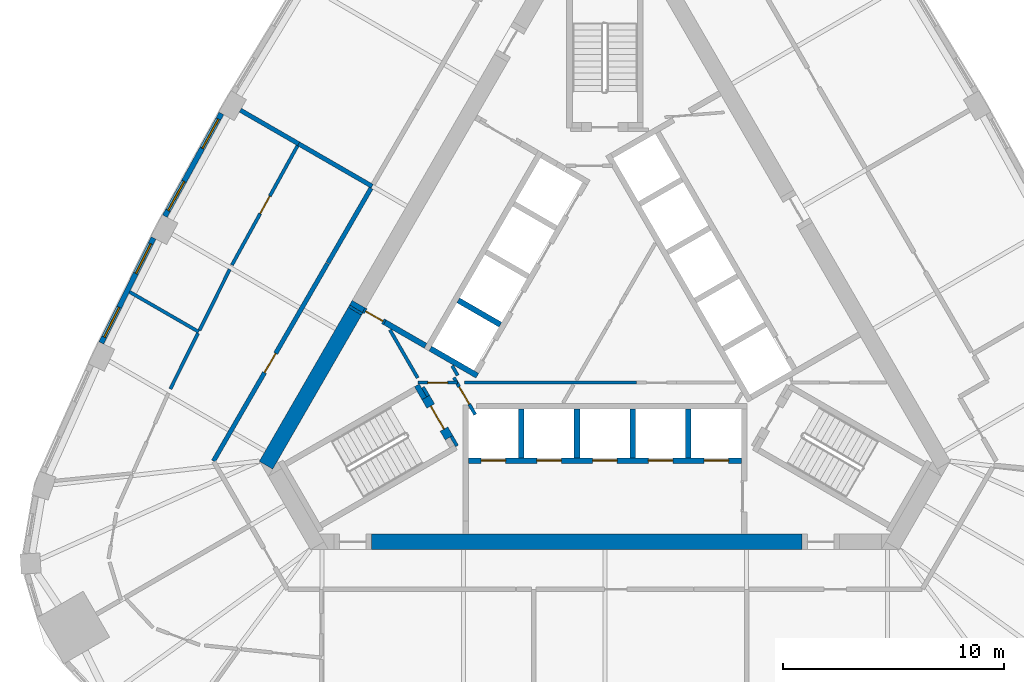
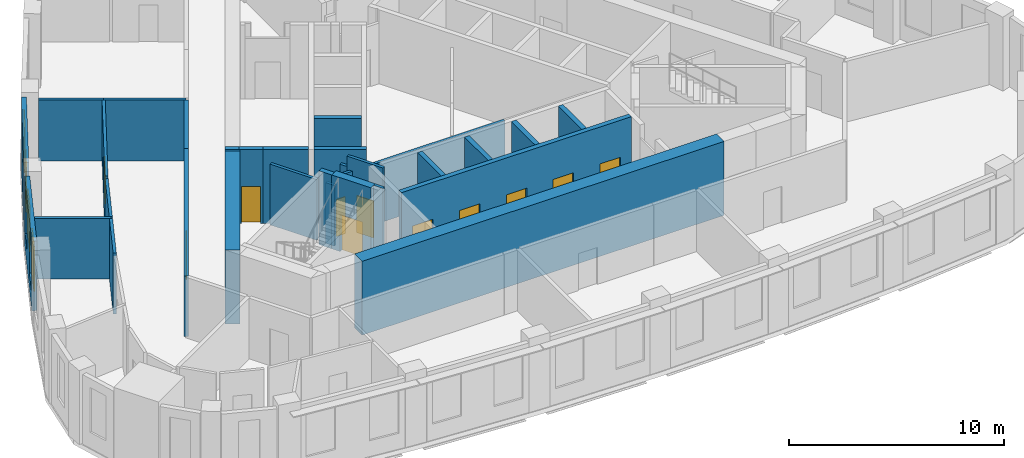
# One storey, part 4 of 10: 32 walls, 11 doors, 4 windows, 15 openings.
"""IFC4 building model written with IfcOpenShell, lengths in metres."""

from ifc_helpers import new_model, si_unit, direction, frame, frame_2d, origin, place, context, subcontext, project, spatial, polyline, rectangle, outline, extrude, material, layer, layer_set, type_object, element, fill, save


model = new_model("IFC4")

# Units and contexts
model_context = context("Model", 3, precision=1e-05, world=origin(), true_north=direction((0.0, 1.0)))
body_context = subcontext(model_context, "Body", "Model", "MODEL_VIEW")
ifc_project = project(units=[si_unit("LENGTHUNIT", "METRE"), si_unit("AREAUNIT", "SQUARE_METRE"), si_unit("VOLUMEUNIT", "CUBIC_METRE"), si_unit("PLANEANGLEUNIT", "RADIAN"), si_unit("MASSUNIT", "GRAM", prefix="KILO")], contexts=[model_context])

# Site, building, storey
site_placement = place(None, origin())
site = spatial("IfcSite", under=ifc_project, at=site_placement, CompositionType="ELEMENT")
building_placement = place(site_placement, origin())
building = spatial("IfcBuilding", under=site, at=building_placement, Name="Mestral Congress Tower", CompositionType="ELEMENT")
storey_placement = place(building_placement, frame((0.0, 0.0, 214.199951171875)))
storey = spatial("IfcBuildingStorey", under=building, at=storey_placement, Name="L50", CompositionType="ELEMENT", Elevation=214.199951171875)

# Walls
ifc_material_1 = material(Name="Fire-rated board partition")
ifc_layer_1 = layer(ifc_material_1, 0.14990234375)
ifc_layer_set_1 = layer_set([ifc_layer_1], Name="Fire-rated board partition")
wall_type_1 = type_object("IfcWallType", Name="Core partition 150", PredefinedType="PARTITIONING", material=ifc_layer_set_1)
wall_1_placement = place(storey_placement, frame((-9.717529296875, -0.41748046875, 0.0), z_axis=(0.0, 0.0, 1.0), x_axis=(0.499966538646, -0.866044721844, 0.0)))
element("IfcWall", 1, at=wall_1_placement, inside=storey, type_object=wall_type_1, Name="L50 core wall", PredefinedType="PARTITIONING", context=body_context, shape_type="SweptSolid", body=[
    extrude(rectangle(XDim=2.510986328125, YDim=0.14990234375, at=frame_2d((1.25537109375, 0.0))), origin(), (0.0, 0.0, 1.0), 3.449951171875),
])
wall_2_placement = place(storey_placement, frame((1.438232421875, -2.800048828125, 0.0), z_axis=(0.0, 0.0, 1.0), x_axis=(-1.0, 0.0, 0.0)))
element("IfcWall", 2, at=wall_2_placement, inside=storey, type_object=wall_type_1, Name="L50 core wall", PredefinedType="PARTITIONING", context=body_context, shape_type="SweptSolid", body=[
    extrude(rectangle(XDim=7.78125, YDim=0.14990234375, at=frame_2d((3.890625, 0.0))), origin(), (0.0, 0.0, 1.0), 3.449951171875),
])
wall_3_placement = place(storey_placement, frame((-6.65283203125, -2.476806640625, 0.0), z_axis=(0.0, 0.0, 1.0), x_axis=(-0.500002592159, 0.866023907196, 0.0)))
element("IfcWall", 3, at=wall_3_placement, inside=storey, type_object=wall_type_1, Name="L50 core wall", PredefinedType="PARTITIONING", context=body_context, shape_type="SweptSolid", body=[
    extrude(rectangle(XDim=0.5029296875, YDim=0.14990234375, at=frame_2d((0.25146484375, 0.0))), origin(), (0.0, 0.0, 1.0), 3.449951171875),
])
wall_4_placement = place(storey_placement, frame((-7.990234375, -3.41162109375, 0.0), z_axis=(0.0, 0.0, 1.0), x_axis=(-0.499858525911, 0.866107068482, 0.0)))
element("IfcWall", 4, at=wall_4_placement, inside=storey, type_object=wall_type_1, Name="L50 core wall", PredefinedType="PARTITIONING", context=body_context, shape_type="SweptSolid", body=[
    extrude(rectangle(XDim=0.466064453125, YDim=0.14990234375, at=frame_2d((0.23291015625, 0.0))), origin(), (0.0, 0.0, 1.0), 3.449951171875),
])

# Wall, opening, door
wall_5_placement = place(storey_placement, frame((-6.654541015625, -2.800048828125, 0.0), z_axis=(0.0, 0.0, 1.0), x_axis=(-1.0, 0.0, 0.0)))
wall_5 = element("IfcWall", 5, at=wall_5_placement, inside=storey, type_object=wall_type_1, Name="L50 door wall", PredefinedType="PARTITIONING", context=body_context, shape_type="SweptSolid", body=[
    extrude(rectangle(XDim=1.800048828125, YDim=0.14990234375, at=frame_2d((0.89990234375, 0.0))), origin(), (0.0, 0.0, 1.0), 3.449951171875),
])
opening_1_placement = place(wall_5_placement, frame((0.449951171875, 0.0, 0.0)))
opening_1 = element("IfcOpeningElement", 6, at=opening_1_placement, cuts=wall_5, Name="Opening SD-HUB5", PredefinedType="OPENING", context=body_context, shape_type="SweptSolid", body=[
    extrude(rectangle(XDim=0.89990234375, YDim=2.10009765625, at=frame_2d((0.449951171875, 1.050048828125))), frame((0.0, 0.0849609375, 0.0), z_axis=(0.0, -1.0, 0.0), x_axis=(1.0, 0.0, 0.0)), (0.0, 0.0, 1.0), 0.169921875),
])
ifc_material_2 = material(Name="Fire-rated steel door set", Category="steel")
door_type_1 = type_object("IfcDoorType", Name="Core door SR 900x2100", OperationType="SINGLE_SWING_LEFT", PredefinedType="DOOR", material=ifc_material_2)
door_1_placement = place(opening_1_placement, origin())
door_1 = element("IfcDoor", 7, at=door_1_placement, inside=storey, type_object=door_type_1, Name="Door SD-HUB5", OperationType="SINGLE_SWING_LEFT", OverallHeight=2.10009765625, OverallWidth=0.89990234375, PredefinedType="DOOR", context=body_context, shape_type="SweptSolid", body=[
    extrude(rectangle(XDim=0.89990234375, YDim=2.10009765625, at=frame_2d((0.449951171875, 1.050048828125))), frame((0.0, 0.02490234375, 0.0), z_axis=(0.0, -1.0, 0.0), x_axis=(1.0, 0.0, 0.0)), (0.0, 0.0, 1.0), 0.050048828125),
])
fill(opening_1, door_1)

# Walls
ifc_material_3 = material(Name="Concrete C60/75", Category="concrete")
ifc_layer_2 = layer(ifc_material_3, 0.699951171875)
ifc_layer_set_2 = layer_set([ifc_layer_2], Name="Concrete C60/75")
wall_type_2 = type_object("IfcWallType", Name="Core wall RC 700", PredefinedType="SOLIDWALL", material=ifc_layer_set_2)
wall_6_placement = place(storey_placement, frame((-11.30126953125, 0.425537109375, 0.0), z_axis=(0.0, 0.0, 1.0), x_axis=(0.50111559984, 0.865380353138, 0.0)))
element("IfcWall", 8, at=wall_6_placement, inside=storey, type_object=wall_type_2, Name="L50 core wall", PredefinedType="SOLIDWALL", context=body_context, shape_type="SweptSolid", body=[
    extrude(rectangle(XDim=0.121337890625, YDim=0.699951171875, at=frame_2d((0.060546875, 0.0))), origin(), (0.0, 0.0, 1.0), 4.199951171875),
])
wall_7_placement = place(storey_placement, frame((-15.3212890625, -6.537353515625, 0.0), z_axis=(0.0, 0.0, 1.0), x_axis=(0.500000268222, 0.866025248926, 0.0)))
element("IfcWall", 9, at=wall_7_placement, inside=storey, type_object=wall_type_2, Name="L50 core wall", PredefinedType="SOLIDWALL", context=body_context, shape_type="SweptSolid", body=[
    extrude(rectangle(XDim=8.0380859375, YDim=0.699951171875, at=frame_2d((4.01904296875, 0.0))), origin(), (0.0, 0.0, 1.0), 4.199951171875),
])
wall_8_placement = place(storey_placement, origin())
element("IfcWall", 10, at=wall_8_placement, inside=storey, type_object=wall_type_2, Name="L50 core wall", PredefinedType="SOLIDWALL", context=body_context, shape_type="SweptSolid", body=[
    extrude(outline(polyline([(-11.542724609375, 0.70751953125), (-11.423583984375, 0.91357421875), (-10.84326171875, 0.578369140625), (-10.962158203125, 0.372314453125), (-11.542724609375, 0.70751953125)])), origin(), (0.0, 0.0, 1.0), 4.199951171875),
])
wall_9_placement = place(storey_placement, frame((-10.556396484375, -10.0, 0.0), z_axis=(0.0, 0.0, 1.0), x_axis=(1.0, 0.0, 0.0)))
element("IfcWall", 11, at=wall_9_placement, inside=storey, type_object=wall_type_2, Name="L50 core wall", PredefinedType="SOLIDWALL", context=body_context, shape_type="SweptSolid", body=[
    extrude(rectangle(XDim=19.460693359375, YDim=0.699951171875, at=frame_2d((9.73046875, 0.0))), origin(), (0.0, 0.0, 1.0), 4.199951171875),
])

# Wall, openings, windows
ifc_material_4 = material(Name="Precast concrete C40/50 with limestone facing", Category="masonry")
ifc_layer_3 = layer(ifc_material_4, 0.239990234375)
ifc_layer_set_3 = layer_set([ifc_layer_3], Name="Precast concrete C40/50 with limestone facing")
wall_type_3 = type_object("IfcWallType", Name="Facade stone wall 240", PredefinedType="SOLIDWALL", material=ifc_layer_set_3)
wall_10_placement = place(storey_placement, frame((-17.338134765625, 9.367919921875, 0.0), z_axis=(0.0, 0.0, 1.0), x_axis=(-0.481925825015, -0.876212017256, 0.0)))
wall_10 = element("IfcWall", 12, at=wall_10_placement, inside=storey, type_object=wall_type_3, Name="Facade wall F2-03", PredefinedType="SOLIDWALL", context=body_context, shape_type="SweptSolid", body=[
    extrude(rectangle(XDim=5.298583984375, YDim=0.239990234375, at=frame_2d((2.6494140625, 0.0))), origin(), (0.0, 0.0, 1.0), 3.949951171875),
])
opening_2_placement = place(wall_10_placement, frame((0.294677734375, 0.0, 0.89990234375)))
opening_2 = element("IfcOpeningElement", 13, at=opening_2_placement, cuts=wall_10, Name="Opening W4", PredefinedType="OPENING", context=body_context, shape_type="SweptSolid", body=[
    extrude(rectangle(XDim=1.5, YDim=2.550048828125, at=frame_2d((0.75, 1.27490234375))), frame((0.0, 0.1298828125, 0.0), z_axis=(0.0, -1.0, 0.0), x_axis=(1.0, 0.0, 0.0)), (0.0, 0.0, 1.0), 0.260009765625),
])
opening_3_placement = place(wall_10_placement, frame((3.503662109375, 0.0, 0.89990234375)))
opening_3 = element("IfcOpeningElement", 14, at=opening_3_placement, cuts=wall_10, Name="Opening W4", PredefinedType="OPENING", context=body_context, shape_type="SweptSolid", body=[
    extrude(rectangle(XDim=1.5, YDim=2.550048828125, at=frame_2d((0.75, 1.27490234375))), frame((0.0, 0.1298828125, 0.0), z_axis=(0.0, -1.0, 0.0), x_axis=(1.0, 0.0, 0.0)), (0.0, 0.0, 1.0), 0.260009765625),
])
ifc_material_5 = material(Name="Clear low-emissivity double glazing", Category="glass")
window_type = type_object("IfcWindowType", Name="Facade punched window 1500 x 2550 sill 900", PartitioningType="SINGLE_PANEL", PredefinedType="WINDOW", material=ifc_material_5)
window_1_placement = place(opening_2_placement, origin())
window_1 = element("IfcWindow", 15, at=window_1_placement, inside=storey, type_object=window_type, Name="Window F2-03a", OverallHeight=2.550048828125, OverallWidth=1.5, PartitioningType="SINGLE_PANEL", PredefinedType="WINDOW", context=body_context, shape_type="SweptSolid", body=[
    extrude(rectangle(XDim=1.5, YDim=2.550048828125, at=frame_2d((0.75, 1.27490234375))), frame((0.0, 0.0400390625, 0.0), z_axis=(0.0, -1.0, 0.0), x_axis=(1.0, 0.0, 0.0)), (0.0, 0.0, 1.0), 0.06005859375),
])
fill(opening_2, window_1)
window_2_placement = place(opening_3_placement, origin())
window_2 = element("IfcWindow", 16, at=window_2_placement, inside=storey, type_object=window_type, Name="Window F2-03b", OverallHeight=2.550048828125, OverallWidth=1.5, PartitioningType="SINGLE_PANEL", PredefinedType="WINDOW", context=body_context, shape_type="SweptSolid", body=[
    extrude(rectangle(XDim=1.5, YDim=2.550048828125, at=frame_2d((0.75, 1.27490234375))), frame((0.0, 0.0400390625, 0.0), z_axis=(0.0, -1.0, 0.0), x_axis=(1.0, 0.0, 0.0)), (0.0, 0.0, 1.0), 0.06005859375),
])
fill(opening_3, window_2)

wall_11_placement = place(storey_placement, frame((-20.407470703125, 3.739501953125, 0.0), z_axis=(0.0, 0.0, 1.0), x_axis=(-0.445129582031, -0.895466166419, 0.0)))
wall_11 = element("IfcWall", 17, at=wall_11_placement, inside=storey, type_object=wall_type_3, Name="Facade wall F2-04", PredefinedType="SOLIDWALL", context=body_context, shape_type="SweptSolid", body=[
    extrude(rectangle(XDim=5.29833984375, YDim=0.239990234375, at=frame_2d((2.649169921875, 0.0))), origin(), (0.0, 0.0, 1.0), 3.949951171875),
])
opening_4_placement = place(wall_11_placement, frame((0.294677734375, 0.0, 0.89990234375)))
opening_4 = element("IfcOpeningElement", 18, at=opening_4_placement, cuts=wall_11, Name="Opening W4", PredefinedType="OPENING", context=body_context, shape_type="SweptSolid", body=[
    extrude(rectangle(XDim=1.5, YDim=2.550048828125, at=frame_2d((0.75, 1.27490234375))), frame((0.0, 0.1298828125, 0.0), z_axis=(0.0, -1.0, 0.0), x_axis=(1.0, 0.0, 0.0)), (0.0, 0.0, 1.0), 0.260009765625),
])
opening_5_placement = place(wall_11_placement, frame((3.503662109375, 0.0, 0.89990234375)))
opening_5 = element("IfcOpeningElement", 19, at=opening_5_placement, cuts=wall_11, Name="Opening W4", PredefinedType="OPENING", context=body_context, shape_type="SweptSolid", body=[
    extrude(rectangle(XDim=1.5, YDim=2.550048828125, at=frame_2d((0.75, 1.27490234375))), frame((0.0, 0.1298828125, 0.0), z_axis=(0.0, -1.0, 0.0), x_axis=(1.0, 0.0, 0.0)), (0.0, 0.0, 1.0), 0.260009765625),
])
window_3_placement = place(opening_4_placement, origin())
window_3 = element("IfcWindow", 20, at=window_3_placement, inside=storey, type_object=window_type, Name="Window F2-04a", OverallHeight=2.550048828125, OverallWidth=1.5, PartitioningType="SINGLE_PANEL", PredefinedType="WINDOW", context=body_context, shape_type="SweptSolid", body=[
    extrude(rectangle(XDim=1.5, YDim=2.550048828125, at=frame_2d((0.75, 1.27490234375))), frame((0.0, 0.0400390625, 0.0), z_axis=(0.0, -1.0, 0.0), x_axis=(1.0, 0.0, 0.0)), (0.0, 0.0, 1.0), 0.06005859375),
])
fill(opening_4, window_3)
window_4_placement = place(opening_5_placement, origin())
window_4 = element("IfcWindow", 21, at=window_4_placement, inside=storey, type_object=window_type, Name="Window F2-04b", OverallHeight=2.550048828125, OverallWidth=1.5, PartitioningType="SINGLE_PANEL", PredefinedType="WINDOW", context=body_context, shape_type="SweptSolid", body=[
    extrude(rectangle(XDim=1.5, YDim=2.550048828125, at=frame_2d((0.75, 1.27490234375))), frame((0.0, 0.0400390625, 0.0), z_axis=(0.0, -1.0, 0.0), x_axis=(1.0, 0.0, 0.0)), (0.0, 0.0, 1.0), 0.06005859375),
])
fill(opening_5, window_4)

# Wall
ifc_material_6 = material(Name="Plasterboard partition on steel studs", Category="steel")
ifc_layer_4 = layer(ifc_material_6, 0.14990234375)
ifc_layer_set_4 = layer_set([ifc_layer_4], Name="Plasterboard partition on steel studs")
wall_type_4 = type_object("IfcWallType", Name="Office partition 150", PredefinedType="PARTITIONING", material=ifc_layer_set_4)
wall_12_placement = place(storey_placement, frame((-18.36328125, -0.505859375, 0.0), z_axis=(0.0, 0.0, 1.0), x_axis=(-0.866048087663, 0.499960708312, 0.0)))
element("IfcWall", 22, at=wall_12_placement, inside=storey, type_object=wall_type_4, Name="Partition", PredefinedType="PARTITIONING", context=body_context, shape_type="SweptSolid", body=[
    extrude(rectangle(XDim=3.607177734375, YDim=0.14990234375, at=frame_2d((1.8037109375, 0.0))), origin(), (0.0, 0.0, 1.0), 3.449951171875),
])

# Wall, opening, door
wall_13_placement = place(storey_placement, frame((-16.86279296875, 2.5126953125, 0.0), z_axis=(0.0, 0.0, 1.0), x_axis=(0.48192483879, 0.876212559689, 0.0)))
wall_13 = element("IfcWall", 23, at=wall_13_placement, inside=storey, type_object=wall_type_4, Name="Partition", PredefinedType="PARTITIONING", context=body_context, shape_type="SweptSolid", body=[
    extrude(rectangle(XDim=6.15673828125, YDim=0.14990234375, at=frame_2d((3.078369140625, 0.0))), origin(), (0.0, 0.0, 1.0), 3.449951171875),
])
opening_6_placement = place(wall_13_placement, frame((2.65673828125, 0.0, 0.0)))
opening_6 = element("IfcOpeningElement", 24, at=opening_6_placement, cuts=wall_13, Name="Opening O07-013", PredefinedType="OPENING", context=body_context, shape_type="SweptSolid", body=[
    extrude(rectangle(XDim=0.89990234375, YDim=2.10009765625, at=frame_2d((0.449951171875, 1.050048828125))), frame((0.0, 0.0849609375, 0.0), z_axis=(0.0, -1.0, 0.0), x_axis=(1.0, 0.0, 0.0)), (0.0, 0.0, 1.0), 0.169921875),
])
ifc_material_7 = material(Name="Timber door set", Category="wood")
door_type_2 = type_object("IfcDoorType", Name="Office door 900x2100", OperationType="SINGLE_SWING_LEFT", PredefinedType="DOOR", material=ifc_material_7)
door_2_placement = place(opening_6_placement, origin())
door_2 = element("IfcDoor", 25, at=door_2_placement, inside=storey, type_object=door_type_2, Name="Door O07-013", OperationType="SINGLE_SWING_RIGHT", OverallHeight=2.10009765625, OverallWidth=0.89990234375, PredefinedType="DOOR", context=body_context, shape_type="SweptSolid", body=[
    extrude(rectangle(XDim=0.89990234375, YDim=2.10009765625, at=frame_2d((0.449951171875, 1.050048828125))), frame((0.0, 0.02490234375, 0.0), z_axis=(0.0, -1.0, 0.0), x_axis=(1.0, 0.0, 0.0)), (0.0, 0.0, 1.0), 0.050048828125),
])
fill(opening_6, door_2)

# Walls
wall_14_placement = place(storey_placement, frame((-16.958251953125, 2.32080078125, 0.0), z_axis=(0.0, 0.0, 1.0), x_axis=(-0.445184199442, -0.895439014432, 0.0)))
element("IfcWall", 26, at=wall_14_placement, inside=storey, type_object=wall_type_4, Name="Partition", PredefinedType="PARTITIONING", context=body_context, shape_type="SweptSolid", body=[
    extrude(rectangle(XDim=3.08154296875, YDim=0.14990234375, at=frame_2d((1.540771484375, 0.0))), origin(), (0.0, 0.0, 1.0), 3.449951171875),
])
wall_15_placement = place(storey_placement, frame((-18.39697265625, -0.572998046875, 0.0), z_axis=(0.0, 0.0, 1.0), x_axis=(-0.445162501923, -0.89544980143, 0.0)))
element("IfcWall", 27, at=wall_15_placement, inside=storey, type_object=wall_type_4, Name="Partition", PredefinedType="PARTITIONING", context=body_context, shape_type="SweptSolid", body=[
    extrude(rectangle(XDim=2.810791015625, YDim=0.14990234375, at=frame_2d((1.4052734375, 0.0))), origin(), (0.0, 0.0, 1.0), 3.449951171875),
])
ifc_material_8 = material(Name="Dense masonry wall, plastered", Category="masonry")
ifc_layer_5 = layer(ifc_material_8, 0.199951171875)
ifc_layer_set_5 = layer_set([ifc_layer_5], Name="Dense masonry wall, plastered")
wall_type_5 = type_object("IfcWallType", Name="Office tenancy wall 200", PredefinedType="PARTITIONING", material=ifc_layer_set_5)
wall_16_placement = place(storey_placement, frame((-13.84423828125, 7.992919921875, 0.0), z_axis=(0.0, 0.0, 1.0), x_axis=(-0.866003976688, 0.500037110984, 0.0)))
element("IfcWall", 28, at=wall_16_placement, inside=storey, type_object=wall_type_5, Name="Tenancy wall", PredefinedType="PARTITIONING", context=body_context, shape_type="SweptSolid", body=[
    extrude(rectangle(XDim=3.044677734375, YDim=0.199951171875, at=frame_2d((1.5224609375, 0.0))), origin(), (0.0, 0.0, 1.0), 3.449951171875),
])
wall_17_placement = place(storey_placement, frame((-10.522216796875, 6.074951171875, 0.0), z_axis=(0.0, 0.0, 1.0), x_axis=(-0.866002601515, 0.500039492609, 0.0)))
element("IfcWall", 29, at=wall_17_placement, inside=storey, type_object=wall_type_5, Name="Tenancy wall", PredefinedType="PARTITIONING", context=body_context, shape_type="SweptSolid", body=[
    extrude(rectangle(XDim=3.843994140625, YDim=0.199951171875, at=frame_2d((1.921875, 0.0))), origin(), (0.0, 0.0, 1.0), 3.449951171875),
])
wall_18_placement = place(storey_placement, frame((-10.572265625, 5.98828125, 0.0), z_axis=(0.0, 0.0, 1.0), x_axis=(-0.499997012787, -0.866027128446, 0.0)))
element("IfcWall", 30, at=wall_18_placement, inside=storey, type_object=wall_type_5, Name="Tenancy wall", PredefinedType="PARTITIONING", context=body_context, shape_type="SweptSolid", body=[
    extrude(rectangle(XDim=3.89990234375, YDim=0.199951171875, at=frame_2d((1.949951171875, 0.0))), origin(), (0.0, 0.0, 1.0), 3.449951171875),
])

# Wall, opening, door
wall_19_placement = place(storey_placement, frame((-12.537109375, 2.5849609375, 0.0), z_axis=(0.0, 0.0, 1.0), x_axis=(-0.500002393198, -0.866024022066, 0.0)))
wall_19 = element("IfcWall", 31, at=wall_19_placement, inside=storey, type_object=wall_type_5, Name="Tenancy wall", PredefinedType="PARTITIONING", context=body_context, shape_type="SweptSolid", body=[
    extrude(rectangle(XDim=10.3173828125, YDim=0.199951171875, at=frame_2d((5.15869140625, 0.0))), origin(), (0.0, 0.0, 1.0), 3.449951171875),
])
opening_7_placement = place(wall_19_placement, frame((4.699951171875, 0.0, 0.0)))
opening_7 = element("IfcOpeningElement", 32, at=opening_7_placement, cuts=wall_19, Name="Opening O07-016", PredefinedType="OPENING", context=body_context, shape_type="SweptSolid", body=[
    extrude(rectangle(XDim=1.0, YDim=2.10009765625, at=frame_2d((0.5, 1.050048828125))), frame((0.0, 0.10986328125, 0.0), z_axis=(0.0, -1.0, 0.0), x_axis=(1.0, 0.0, 0.0)), (0.0, 0.0, 1.0), 0.219970703125),
])
ifc_material_9 = material(Name="Fire-rated timber door set", Category="wood")
door_type_3 = type_object("IfcDoorType", Name="Office tenancy entrance door 1000x2100", OperationType="SINGLE_SWING_LEFT", PredefinedType="DOOR", material=ifc_material_9)
door_3_placement = place(opening_7_placement, origin())
door_3 = element("IfcDoor", 33, at=door_3_placement, inside=storey, type_object=door_type_3, Name="Door O07-016", OperationType="SINGLE_SWING_RIGHT", OverallHeight=2.10009765625, OverallWidth=1.0, PredefinedType="DOOR", context=body_context, shape_type="SweptSolid", body=[
    extrude(rectangle(XDim=1.0, YDim=2.10009765625, at=frame_2d((0.5, 1.050048828125))), frame((0.0, 0.02490234375, 0.0), z_axis=(0.0, -1.0, 0.0), x_axis=(1.0, 0.0, 0.0)), (0.0, 0.0, 1.0), 0.050048828125),
])
fill(opening_7, door_3)

# Walls
ifc_layer_6 = layer(ifc_material_3, 0.25)
ifc_layer_set_6 = layer_set([ifc_layer_6], Name="Concrete C60/75")
wall_type_6 = type_object("IfcWallType", Name="Shaft wall RC 250", PredefinedType="SOLIDWALL", material=ifc_layer_set_6)
for number, where, z_axis, x_axis, name in (
    (34, (3.780029296875, -4.0, 0.0), (0.0, 0.0, 1.0), (0.0, -1.0, 0.0), "L50 core wall"),
    (35, (1.260009765625, -4.0, 0.0), (0.0, 0.0, 1.0), (0.0, -1.0, 0.0), "L50 core wall"),
    (36, (-1.260009765625, -4.0, 0.0), (0.0, 0.0, 1.0), (0.0, -1.0, 0.0), "L50 core wall"),
    (37, (-3.780029296875, -4.0, 0.0), (0.0, 0.0, 1.0), (0.0, -1.0, 0.0), "L50 core wall"),
    (38, (-4.72412109375, -0.182373046875, 0.0), (0.0, 0.0, 1.0), (-0.866008176907, 0.50002983664, 0.0), "L50 core wall"),
):
    element("IfcWall", number, at=place(storey_placement, frame(where, z_axis=z_axis, x_axis=x_axis)), inside=storey, type_object=wall_type_6, Name=name, PredefinedType="SOLIDWALL", context=body_context, shape_type="SweptSolid", body=[
        extrude(rectangle(XDim=2.199951171875, YDim=0.25, at=frame_2d((1.10009765625, 0.0))), origin(), (0.0, 0.0, 1.0), 4.199951171875),
    ])
wall_20_placement = place(storey_placement, frame((-7.889404296875, -1.264892578125, 0.0), z_axis=(0.0, 0.0, 1.0), x_axis=(0.866057815567, -0.499943856944, 0.0)))
element("IfcWall", 39, at=wall_20_placement, inside=storey, type_object=wall_type_6, Name="L50 core wall", PredefinedType="SOLIDWALL", context=body_context, shape_type="SweptSolid", body=[
    extrude(rectangle(XDim=2.449951171875, YDim=0.25, at=frame_2d((1.22509765625, 0.0))), origin(), (0.0, 0.0, 1.0), 4.199951171875),
])
wall_21_placement = place(storey_placement, frame((-9.949951171875, -0.074951171875, 0.0), z_axis=(0.0, 0.0, 1.0), x_axis=(0.865962177421, -0.500109495288, 0.0)))
element("IfcWall", 40, at=wall_21_placement, inside=storey, type_object=wall_type_6, Name="L50 core wall", PredefinedType="SOLIDWALL", context=body_context, shape_type="SweptSolid", body=[
    extrude(rectangle(XDim=2.12939453125, YDim=0.25, at=frame_2d((1.064697265625, 0.0))), origin(), (0.0, 0.0, 1.0), 4.199951171875),
])

# Wall, openings, doors
wall_22_placement = place(storey_placement, frame((-6.175048828125, -6.324951171875, 0.0), z_axis=(0.0, 0.0, 1.0), x_axis=(1.0, 0.0, 0.0)))
wall_22 = element("IfcWall", 41, at=wall_22_placement, inside=storey, type_object=wall_type_6, Name="L50 door wall", PredefinedType="SOLIDWALL", context=body_context, shape_type="SweptSolid", body=[
    extrude(rectangle(XDim=12.35009765625, YDim=0.25, at=frame_2d((6.175048828125, 0.0))), origin(), (0.0, 0.0, 1.0), 4.199951171875),
])
opening_8_placement = place(wall_22_placement, frame((0.5849609375, 0.0, 0.0)))
opening_8 = element("IfcOpeningElement", 42, at=opening_8_placement, cuts=wall_22, Name="Opening LD-SOB1", PredefinedType="OPENING", context=body_context, shape_type="SweptSolid", body=[
    extrude(rectangle(XDim=1.10009765625, YDim=2.10009765625, at=frame_2d((0.550048828125, 1.050048828125))), frame((0.0, 0.135009765625, 0.0), z_axis=(0.0, -1.0, 0.0), x_axis=(1.0, 0.0, 0.0)), (0.0, 0.0, 1.0), 0.27001953125),
])
opening_9_placement = place(wall_22_placement, frame((3.10498046875, 0.0, 0.0)))
opening_9 = element("IfcOpeningElement", 43, at=opening_9_placement, cuts=wall_22, Name="Opening LD-SOB2", PredefinedType="OPENING", context=body_context, shape_type="SweptSolid", body=[
    extrude(rectangle(XDim=1.10009765625, YDim=2.10009765625, at=frame_2d((0.550048828125, 1.050048828125))), frame((0.0, 0.135009765625, 0.0), z_axis=(0.0, -1.0, 0.0), x_axis=(1.0, 0.0, 0.0)), (0.0, 0.0, 1.0), 0.27001953125),
])
opening_10_placement = place(wall_22_placement, frame((5.625, 0.0, 0.0)))
opening_10 = element("IfcOpeningElement", 44, at=opening_10_placement, cuts=wall_22, Name="Opening LD-SOB3", PredefinedType="OPENING", context=body_context, shape_type="SweptSolid", body=[
    extrude(rectangle(XDim=1.10009765625, YDim=2.10009765625, at=frame_2d((0.550048828125, 1.050048828125))), frame((0.0, 0.135009765625, 0.0), z_axis=(0.0, -1.0, 0.0), x_axis=(1.0, 0.0, 0.0)), (0.0, 0.0, 1.0), 0.27001953125),
])
opening_11_placement = place(wall_22_placement, frame((8.14501953125, 0.0, 0.0)))
opening_11 = element("IfcOpeningElement", 45, at=opening_11_placement, cuts=wall_22, Name="Opening LD-SOB4", PredefinedType="OPENING", context=body_context, shape_type="SweptSolid", body=[
    extrude(rectangle(XDim=1.10009765625, YDim=2.10009765625, at=frame_2d((0.550048828125, 1.050048828125))), frame((0.0, 0.135009765625, 0.0), z_axis=(0.0, -1.0, 0.0), x_axis=(1.0, 0.0, 0.0)), (0.0, 0.0, 1.0), 0.27001953125),
])
opening_12_placement = place(wall_22_placement, frame((10.6650390625, 0.0, 0.0)))
opening_12 = element("IfcOpeningElement", 46, at=opening_12_placement, cuts=wall_22, Name="Opening LD-SOB5", PredefinedType="OPENING", context=body_context, shape_type="SweptSolid", body=[
    extrude(rectangle(XDim=1.10009765625, YDim=2.10009765625, at=frame_2d((0.550048828125, 1.050048828125))), frame((0.0, 0.135009765625, 0.0), z_axis=(0.0, -1.0, 0.0), x_axis=(1.0, 0.0, 0.0)), (0.0, 0.0, 1.0), 0.27001953125),
])
door_type_4 = type_object("IfcDoorType", Name="Core door LD 1100x2100", OperationType="DOUBLE_DOOR_SLIDING", PredefinedType="DOOR", material=ifc_material_2)
door_4_placement = place(opening_8_placement, origin())
door_4 = element("IfcDoor", 47, at=door_4_placement, inside=storey, type_object=door_type_4, Name="Door LD-SOB1", OperationType="DOUBLE_DOOR_SLIDING", OverallHeight=2.10009765625, OverallWidth=1.10009765625, PredefinedType="DOOR", context=body_context, shape_type="SweptSolid", body=[
    extrude(rectangle(XDim=1.10009765625, YDim=2.10009765625, at=frame_2d((0.550048828125, 1.050048828125))), frame((0.0, 0.02490234375, 0.0), z_axis=(0.0, -1.0, 0.0), x_axis=(1.0, 0.0, 0.0)), (0.0, 0.0, 1.0), 0.050048828125),
])
fill(opening_8, door_4)
door_5_placement = place(opening_9_placement, origin())
door_5 = element("IfcDoor", 48, at=door_5_placement, inside=storey, type_object=door_type_4, Name="Door LD-SOB2", OperationType="DOUBLE_DOOR_SLIDING", OverallHeight=2.10009765625, OverallWidth=1.10009765625, PredefinedType="DOOR", context=body_context, shape_type="SweptSolid", body=[
    extrude(rectangle(XDim=1.10009765625, YDim=2.10009765625, at=frame_2d((0.550048828125, 1.050048828125))), frame((0.0, 0.02490234375, 0.0), z_axis=(0.0, -1.0, 0.0), x_axis=(1.0, 0.0, 0.0)), (0.0, 0.0, 1.0), 0.050048828125),
])
fill(opening_9, door_5)
door_6_placement = place(opening_10_placement, origin())
door_6 = element("IfcDoor", 49, at=door_6_placement, inside=storey, type_object=door_type_4, Name="Door LD-SOB3", OperationType="DOUBLE_DOOR_SLIDING", OverallHeight=2.10009765625, OverallWidth=1.10009765625, PredefinedType="DOOR", context=body_context, shape_type="SweptSolid", body=[
    extrude(rectangle(XDim=1.10009765625, YDim=2.10009765625, at=frame_2d((0.550048828125, 1.050048828125))), frame((0.0, 0.02490234375, 0.0), z_axis=(0.0, -1.0, 0.0), x_axis=(1.0, 0.0, 0.0)), (0.0, 0.0, 1.0), 0.050048828125),
])
fill(opening_10, door_6)
door_7_placement = place(opening_11_placement, origin())
door_7 = element("IfcDoor", 50, at=door_7_placement, inside=storey, type_object=door_type_4, Name="Door LD-SOB4", OperationType="DOUBLE_DOOR_SLIDING", OverallHeight=2.10009765625, OverallWidth=1.10009765625, PredefinedType="DOOR", context=body_context, shape_type="SweptSolid", body=[
    extrude(rectangle(XDim=1.10009765625, YDim=2.10009765625, at=frame_2d((0.550048828125, 1.050048828125))), frame((0.0, 0.02490234375, 0.0), z_axis=(0.0, -1.0, 0.0), x_axis=(1.0, 0.0, 0.0)), (0.0, 0.0, 1.0), 0.050048828125),
])
fill(opening_11, door_7)
door_8_placement = place(opening_12_placement, origin())
door_8 = element("IfcDoor", 51, at=door_8_placement, inside=storey, type_object=door_type_4, Name="Door LD-SOB5", OperationType="DOUBLE_DOOR_SLIDING", OverallHeight=2.10009765625, OverallWidth=1.10009765625, PredefinedType="DOOR", context=body_context, shape_type="SweptSolid", body=[
    extrude(rectangle(XDim=1.10009765625, YDim=2.10009765625, at=frame_2d((0.550048828125, 1.050048828125))), frame((0.0, 0.02490234375, 0.0), z_axis=(0.0, -1.0, 0.0), x_axis=(1.0, 0.0, 0.0)), (0.0, 0.0, 1.0), 0.050048828125),
])
fill(opening_12, door_8)

# Wall, opening, door
wall_23_placement = place(storey_placement, frame((-9.9501953125, -0.074951171875, 0.0), z_axis=(0.0, 0.0, 1.0), x_axis=(-0.865952669392, 0.500125958508, 0.0)))
wall_23 = element("IfcWall", 52, at=wall_23_placement, inside=storey, type_object=wall_type_6, Name="L50 door wall", PredefinedType="SOLIDWALL", context=body_context, shape_type="SweptSolid", body=[
    extrude(rectangle(XDim=1.099853515625, YDim=0.25, at=frame_2d((0.5498046875, 0.0))), origin(), (0.0, 0.0, 1.0), 4.199951171875),
])
opening_13_placement = place(wall_23_placement, frame((0.10009765625, 0.0, 0.0)))
opening_13 = element("IfcOpeningElement", 53, at=opening_13_placement, cuts=wall_23, Name="Opening TD3", PredefinedType="OPENING", context=body_context, shape_type="SweptSolid", body=[
    extrude(rectangle(XDim=0.89990234375, YDim=2.10009765625, at=frame_2d((0.449951171875, 1.050048828125))), frame((0.0, 0.135009765625, 0.0), z_axis=(0.0, -1.0, 0.0), x_axis=(1.0, 0.0, 0.0)), (0.0, 0.0, 1.0), 0.27001953125),
])
door_9_placement = place(opening_13_placement, origin())
door_9 = element("IfcDoor", 54, at=door_9_placement, inside=storey, type_object=door_type_1, Name="Door TD3", OperationType="SINGLE_SWING_LEFT", OverallHeight=2.10009765625, OverallWidth=0.89990234375, PredefinedType="DOOR", context=body_context, shape_type="SweptSolid", body=[
    extrude(rectangle(XDim=0.89990234375, YDim=2.10009765625, at=frame_2d((0.449951171875, 1.050048828125))), frame((0.0, 0.02490234375, 0.0), z_axis=(0.0, -1.0, 0.0), x_axis=(1.0, 0.0, 0.0)), (0.0, 0.0, 1.0), 0.050048828125),
])
fill(opening_13, door_9)

# Wall
ifc_layer_7 = layer(ifc_material_3, 0.14990234375)
ifc_layer_set_7 = layer_set([ifc_layer_7], Name="Concrete C60/75")
wall_type_7 = type_object("IfcWallType", Name="Shaft wall RC 250 door-wall 150", PredefinedType="SOLIDWALL", material=ifc_layer_set_7)
wall_24_placement = place(storey_placement, frame((-6.940185546875, -5.230224609375, 0.0), z_axis=(0.0, 0.0, 1.0), x_axis=(0.499834152157, -0.86612113491, 0.0)))
element("IfcWall", 55, at=wall_24_placement, inside=storey, type_object=wall_type_7, Name="L50 core wall", PredefinedType="PARTITIONING", context=body_context, shape_type="SweptSolid", body=[
    extrude(rectangle(XDim=0.504638671875, YDim=0.14990234375, at=frame_2d((0.25244140625, 0.0))), origin(), (0.0, 0.0, 1.0), 4.199951171875),
])

# Wall, opening, door
wall_25_placement = place(storey_placement, frame((-5.861083984375, -4.248291015625, 0.0), z_axis=(0.0, 0.0, 1.0), x_axis=(-0.500043646338, 0.866000203093, 0.0)))
wall_25 = element("IfcWall", 56, at=wall_25_placement, inside=storey, type_object=wall_type_7, Name="L50 door wall", PredefinedType="PARTITIONING", context=body_context, shape_type="SweptSolid", body=[
    extrude(rectangle(XDim=1.929931640625, YDim=0.14990234375, at=frame_2d((0.96484375, 0.0))), origin(), (0.0, 0.0, 1.0), 4.199951171875),
])
opening_14_placement = place(wall_25_placement, frame((0.550048828125, 0.0, 0.0)))
opening_14 = element("IfcOpeningElement", 57, at=opening_14_placement, cuts=wall_25, Name="Opening CD3-HUB4", PredefinedType="OPENING", context=body_context, shape_type="SweptSolid", body=[
    extrude(rectangle(XDim=0.89990234375, YDim=2.10009765625, at=frame_2d((0.449951171875, 1.050048828125))), frame((0.0, 0.0849609375, 0.0), z_axis=(0.0, -1.0, 0.0), x_axis=(1.0, 0.0, 0.0)), (0.0, 0.0, 1.0), 0.169921875),
])
door_type_5 = type_object("IfcDoorType", Name="Core door CD 900x2100", OperationType="SINGLE_SWING_LEFT", PredefinedType="DOOR", material=ifc_material_2)
door_10_placement = place(opening_14_placement, origin())
door_10 = element("IfcDoor", 58, at=door_10_placement, inside=storey, type_object=door_type_5, Name="Door CD3-HUB4", OperationType="SINGLE_SWING_LEFT", OverallHeight=2.10009765625, OverallWidth=0.89990234375, PredefinedType="DOOR", context=body_context, shape_type="SweptSolid", body=[
    extrude(rectangle(XDim=0.89990234375, YDim=2.10009765625, at=frame_2d((0.449951171875, 1.050048828125))), frame((0.0, 0.02490234375, 0.0), z_axis=(0.0, -1.0, 0.0), x_axis=(1.0, 0.0, 0.0)), (0.0, 0.0, 1.0), 0.050048828125),
])
fill(opening_14, door_10)

# Wall
ifc_layer_8 = layer(ifc_material_3, 0.25)
ifc_layer_set_8 = layer_set([ifc_layer_8], Name="Concrete C60/75")
wall_type_8 = type_object("IfcWallType", Name="Stair wall RC 250", PredefinedType="SOLIDWALL", material=ifc_layer_set_8)
wall_26_placement = place(storey_placement, frame((-8.1630859375, -3.51123046875, 0.0), z_axis=(0.0, 0.0, 1.0), x_axis=(-0.499994068514, 0.866028828302, 0.0)))
element("IfcWall", 59, at=wall_26_placement, inside=storey, type_object=wall_type_8, Name="L50 core wall", PredefinedType="SOLIDWALL", context=body_context, shape_type="SweptSolid", body=[
    extrude(rectangle(XDim=0.67431640625, YDim=0.25, at=frame_2d((0.337158203125, 0.0))), origin(), (0.0, 0.0, 1.0), 4.199951171875),
])

# Wall, opening, door
ifc_layer_9 = layer(ifc_material_3, 0.39990234375)
ifc_layer_set_9 = layer_set([ifc_layer_9], Name="Concrete C60/75")
wall_type_9 = type_object("IfcWallType", Name="Stair wall RC 250 door-wall 400", PredefinedType="SOLIDWALL", material=ifc_layer_set_9)
wall_27_placement = place(storey_placement, frame((-8.097900390625, -3.473876953125, 0.0), z_axis=(0.0, 0.0, 1.0), x_axis=(0.49994051562, -0.866059744384, 0.0)))
wall_27 = element("IfcWall", 60, at=wall_27_placement, inside=storey, type_object=wall_type_9, Name="L50 door wall", PredefinedType="SOLIDWALL", context=body_context, shape_type="SweptSolid", body=[
    extrude(rectangle(XDim=2.099853515625, YDim=0.39990234375, at=frame_2d((1.0498046875, 0.0))), origin(), (0.0, 0.0, 1.0), 4.199951171875),
])
opening_15_placement = place(wall_27_placement, frame((0.449951171875, 0.0, 0.0)))
opening_15 = element("IfcOpeningElement", 61, at=opening_15_placement, cuts=wall_27, Name="Opening ST-D3", PredefinedType="OPENING", context=body_context, shape_type="SweptSolid", body=[
    extrude(rectangle(XDim=1.199951171875, YDim=2.10009765625, at=frame_2d((0.60009765625, 1.050048828125))), frame((0.0, 0.2099609375, 0.0), z_axis=(0.0, -1.0, 0.0), x_axis=(1.0, 0.0, 0.0)), (0.0, 0.0, 1.0), 0.419921875),
])
door_type_6 = type_object("IfcDoorType", Name="Core door ST 1200x2100", OperationType="SINGLE_SWING_LEFT", PredefinedType="DOOR", material=ifc_material_2)
door_11_placement = place(opening_15_placement, origin())
door_11 = element("IfcDoor", 62, at=door_11_placement, inside=storey, type_object=door_type_6, Name="Door ST-D3", OperationType="SINGLE_SWING_LEFT", OverallHeight=2.10009765625, OverallWidth=1.199951171875, PredefinedType="DOOR", context=body_context, shape_type="SweptSolid", body=[
    extrude(rectangle(XDim=1.199951171875, YDim=2.10009765625, at=frame_2d((0.60009765625, 1.050048828125))), frame((0.0, 0.02490234375, 0.0), z_axis=(0.0, -1.0, 0.0), x_axis=(1.0, 0.0, 0.0)), (0.0, 0.0, 1.0), 0.050048828125),
])
fill(opening_15, door_11)

save(model, "model.ifc")
